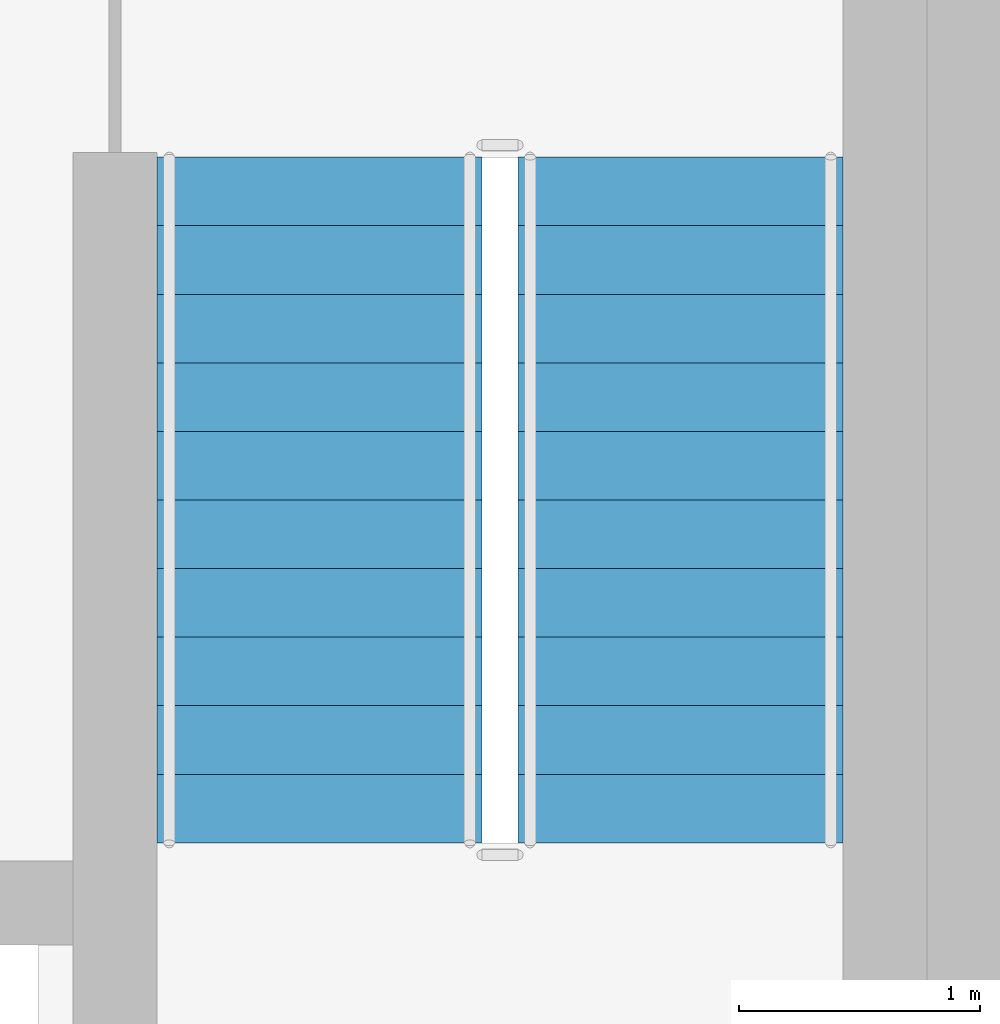
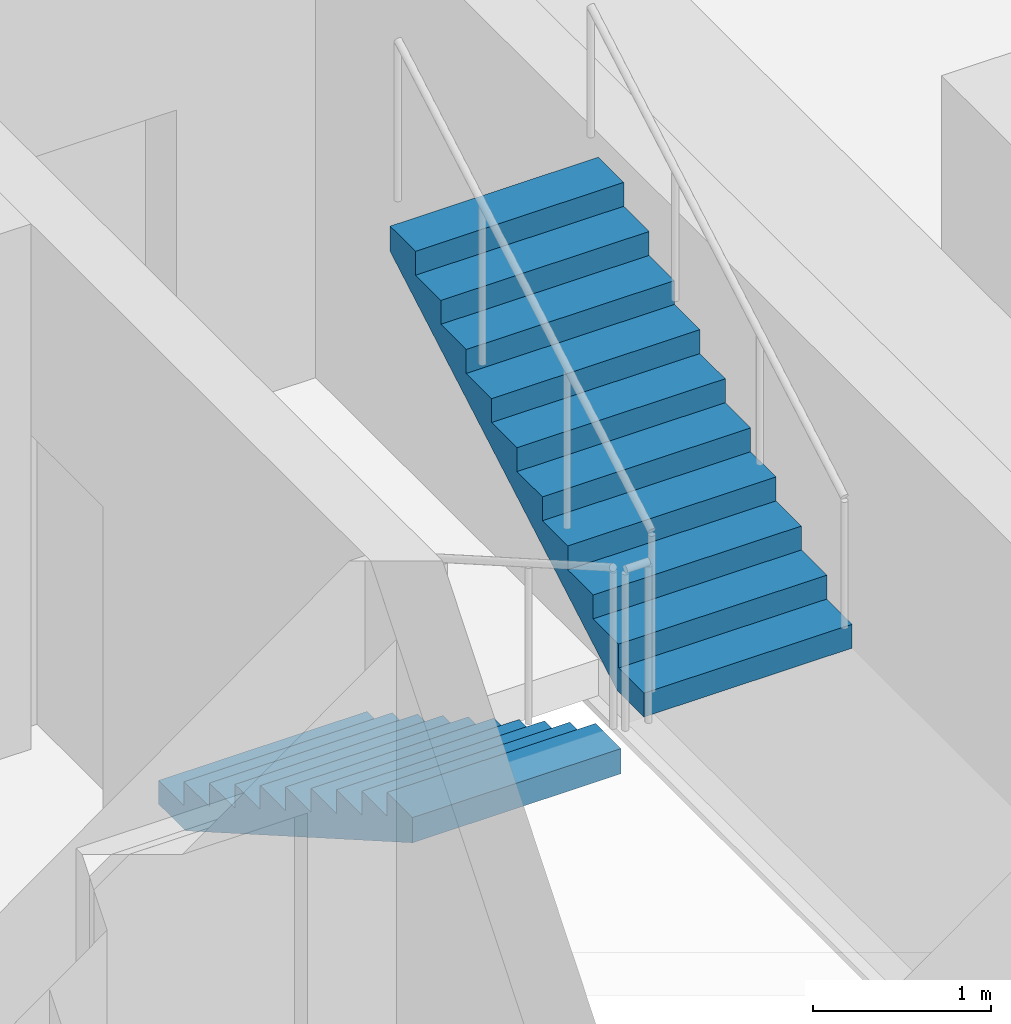
# One storey, part 10 of 12: 2 stair flights, 1 element without a shape of its own.
"""IFC4 building model written with IfcOpenShell, lengths in metres."""

from ifc_helpers import new_model, si_unit, direction, frame, origin, place, context, subcontext, project, spatial, polyline, outline, extrude, material, type_object, element, aggregate, save


model = new_model("IFC4")

# Units and contexts
model_context = context("Model", 3, precision=1e-05, world=origin(), true_north=direction((0.0, 1.0)))
body_context = subcontext(model_context, "Body", "Model", "MODEL_VIEW")
ifc_project = project(units=[si_unit("LENGTHUNIT", "METRE"), si_unit("AREAUNIT", "SQUARE_METRE"), si_unit("VOLUMEUNIT", "CUBIC_METRE"), si_unit("PLANEANGLEUNIT", "RADIAN"), si_unit("MASSUNIT", "GRAM", prefix="KILO")], contexts=[model_context])

# Site, building, storey
site_placement = place(None, origin())
site = spatial("IfcSite", under=ifc_project, at=site_placement, CompositionType="ELEMENT")
building_placement = place(site_placement, origin())
building = spatial("IfcBuilding", under=site, at=building_placement, Name="Almagre Mirador Tower", CompositionType="ELEMENT")
storey_placement = place(building_placement, frame((0.0, 0.0, 114.0)))
storey = spatial("IfcBuildingStorey", under=building, at=storey_placement, Name="L28", CompositionType="ELEMENT", Elevation=114.0)

# Stair, stair flights
ifc_material_1 = material(Name="Concrete C45/55", Category="concrete")
stair_type = type_object("IfcStairType", Name="STR-DL-3600", PredefinedType="HALF_TURN_STAIR", material=ifc_material_1)
stair_placement = place(storey_placement, origin())
stair = element("IfcStair", 1, at=stair_placement, inside=storey, type_object=stair_type, Name="L28 Protected exit stair ST-3", PredefinedType="HALF_TURN_STAIR")
ifc_material_2 = material(Name="Concrete C45/55", Category="concrete")
stair_flight_type = type_object("IfcStairFlightType", Name="FLT-DL-3600", PredefinedType="STRAIGHT", material=ifc_material_2)
stair_flight_1_placement = place(storey_placement, frame((44.14990234375, 11.199951171875, 0.0), z_axis=(0.0, 0.0, 1.0), x_axis=(0.0, -1.0, 0.0)))
stair_flight_1 = element("IfcStairFlight", 2, at=stair_flight_1_placement, type_object=stair_flight_type, Name="ST-3 flight 1", NumberOfRisers=11, NumberOfTreads=10, PredefinedType="STRAIGHT", RiserHeight=0.163636364, TreadLength=0.285, context=body_context, shape_type="SweptSolid", body=[
    extrude(outline(polyline([(0.0, 0.0), (0.0, 0.16357421875), (0.284912109375, 0.16357421875), (0.284912109375, 0.327392578125), (0.570068359375, 0.327392578125), (0.570068359375, 0.490966796875), (0.85498046875, 0.490966796875), (0.85498046875, 0.654541015625), (1.139892578125, 0.654541015625), (1.139892578125, 0.818115234375), (1.425048828125, 0.818115234375), (1.425048828125, 0.98193359375), (1.7099609375, 0.98193359375), (1.7099609375, 1.1455078125), (1.9951171875, 1.1455078125), (1.9951171875, 1.30908203125), (2.280029296875, 1.30908203125), (2.280029296875, 1.47265625), (2.56494140625, 1.47265625), (2.56494140625, 1.636474609375), (2.85009765625, 1.636474609375), (2.85009765625, 1.800048828125), (2.85009765625, 1.463623046875), (0.301025390625, 0.0), (0.0, 0.0)])), frame((0.0, 0.675048828125, 0.0), z_axis=(0.0, -1.0, 0.0), x_axis=(1.0, 0.0, 0.0)), (0.0, 0.0, 1.0), 1.35009765625),
])
stair_flight_2_placement = place(storey_placement, frame((45.64990234375, 8.35009765625, 1.800048828125), z_axis=(0.0, 0.0, 1.0), x_axis=(0.0, 1.0, 0.0)))
stair_flight_2 = element("IfcStairFlight", 3, at=stair_flight_2_placement, type_object=stair_flight_type, Name="ST-3 flight 2", NumberOfRisers=11, NumberOfTreads=10, PredefinedType="STRAIGHT", RiserHeight=0.163636364, TreadLength=0.285, context=body_context, shape_type="SweptSolid", body=[
    extrude(outline(polyline([(0.0, 0.0), (0.0, 0.16357421875), (0.284912109375, 0.16357421875), (0.284912109375, 0.327392578125), (0.570068359375, 0.327392578125), (0.570068359375, 0.490966796875), (0.85498046875, 0.490966796875), (0.85498046875, 0.654541015625), (1.139892578125, 0.654541015625), (1.139892578125, 0.818115234375), (1.425048828125, 0.818115234375), (1.425048828125, 0.98193359375), (1.7099609375, 0.98193359375), (1.7099609375, 1.1455078125), (1.9951171875, 1.1455078125), (1.9951171875, 1.30908203125), (2.280029296875, 1.30908203125), (2.280029296875, 1.47265625), (2.56494140625, 1.47265625), (2.56494140625, 1.636474609375), (2.85009765625, 1.636474609375), (2.85009765625, 1.800048828125), (2.85009765625, 1.463623046875), (0.301025390625, 0.0), (0.0, 0.0)])), frame((0.0, 0.675048828125, 0.0), z_axis=(0.0, -1.0, 0.0), x_axis=(1.0, 0.0, 0.0)), (0.0, 0.0, 1.0), 1.35009765625),
])
aggregate(stair, [stair_flight_1, stair_flight_2])

save(model, "model.ifc")
